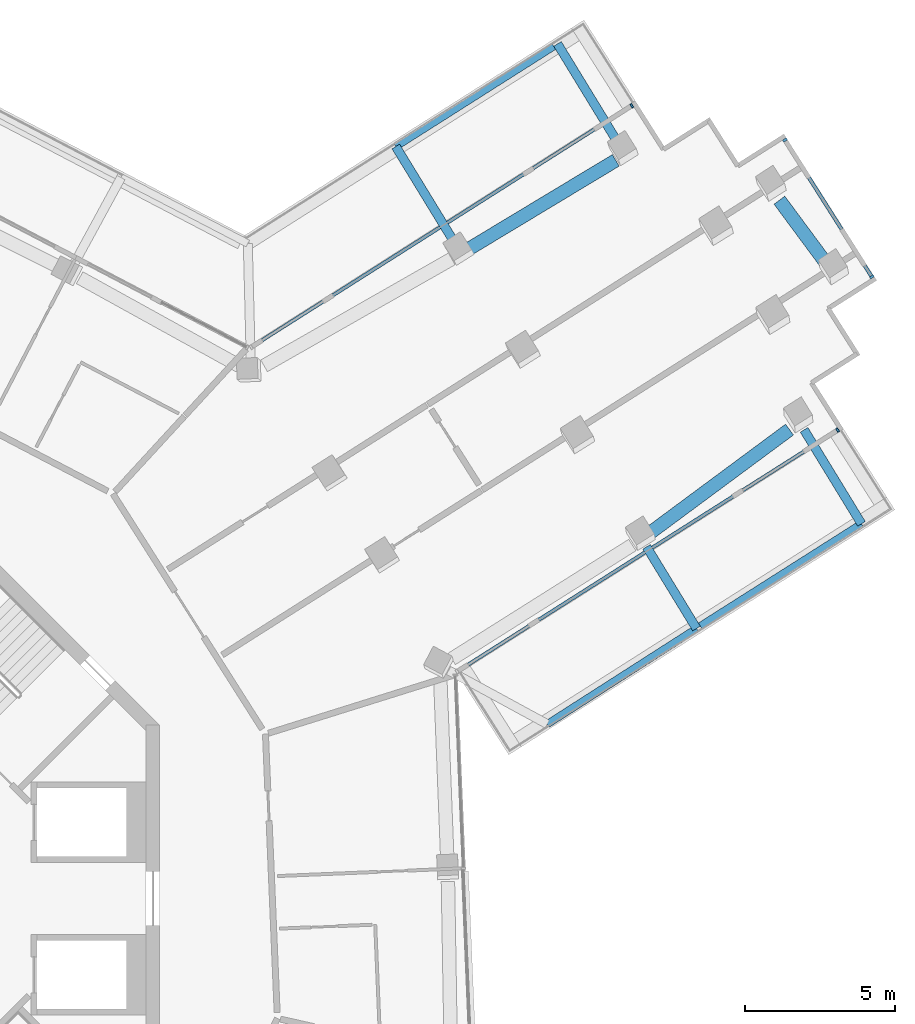
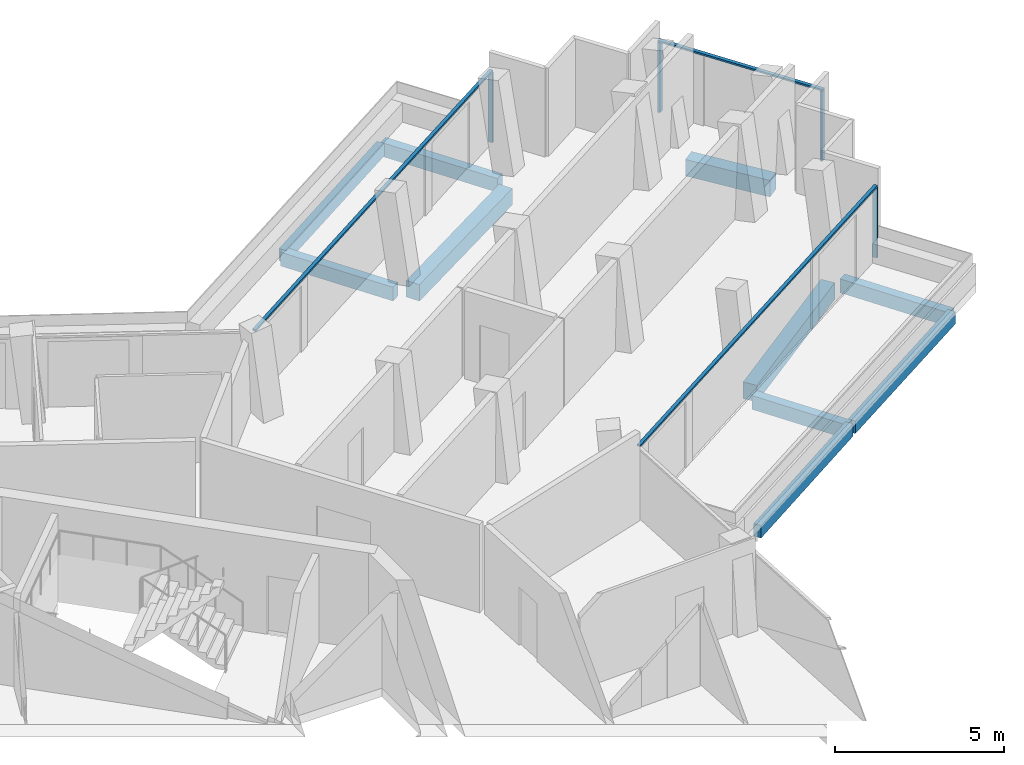
# One storey, part 9 of 23: 10 beams, 7 members, 3 elements without a shape of their own.
"""IFC4 building model written with IfcOpenShell, lengths in metres."""

from ifc_helpers import new_model, si_unit, direction, frame, origin, origin_2d, place, context, subcontext, project, spatial, rectangle, extrude, material, layer, layer_set, material_profile, profile_set, type_object, element, aggregate, save


model = new_model("IFC4")

# Units and contexts
model_context = context("Model", 3, precision=1e-05, world=origin(), true_north=direction((0.0, 1.0)))
body_context = subcontext(model_context, "Body", "Model", "MODEL_VIEW")
ifc_project = project(units=[si_unit("LENGTHUNIT", "METRE"), si_unit("AREAUNIT", "SQUARE_METRE"), si_unit("VOLUMEUNIT", "CUBIC_METRE"), si_unit("PLANEANGLEUNIT", "RADIAN"), si_unit("MASSUNIT", "GRAM", prefix="KILO")], contexts=[model_context])

# Site, building, storey
site_placement = place(None, origin())
site = spatial("IfcSite", under=ifc_project, at=site_placement, CompositionType="ELEMENT")
building_placement = place(site_placement, origin())
building = spatial("IfcBuilding", under=site, at=building_placement, Name="Verdalira Terraces Hotel", CompositionType="ELEMENT")
storey_placement = place(building_placement, frame((0.0, 0.0, 288.0)))
storey = spatial("IfcBuildingStorey", under=building, at=storey_placement, Name="L71", CompositionType="ELEMENT", Elevation=288.0)

# Beams
ifc_material_1 = material(Name="Concrete C40", Category="concrete")
ifc_material_profile_1 = material_profile(ifc_material_1, rectangle(XDim=0.300049, YDim=0.5, at=origin_2d()), Name="RC 300X500")
ifc_profile_set_1 = profile_set([ifc_material_profile_1], Name="Concrete C40")
beam_type_1 = type_object("IfcBeamType", Name="Balcony cantilever beam RC 300X500 C40", PredefinedType="BEAM", material=ifc_profile_set_1)
beam_1_placement = place(storey_placement, frame((30.288086, 11.763428, -0.560059), z_axis=(0.521650365, -0.853159362, 0.0), x_axis=(0.853159362, 0.521650365, 0.0)))
element("IfcBeam", 1, at=beam_1_placement, inside=storey, type_object=beam_type_1, Name="Balcony cantilever beam R28-2", PredefinedType="BEAM", context=body_context, shape_type="SweptSolid", body=[
    extrude(rectangle(XDim=0.300049, YDim=0.5, at=origin_2d()), origin(), (0.0, 0.0, 1.0), 3.203613),
])
beam_2_placement = place(storey_placement, frame((35.555908, 15.675293, -0.560059), z_axis=(0.521573318, -0.853206466, 0.0), x_axis=(0.853206466, 0.521573318, 0.0)))
element("IfcBeam", 2, at=beam_2_placement, inside=storey, type_object=beam_type_1, Name="Balcony cantilever beam R28-3", PredefinedType="BEAM", context=body_context, shape_type="SweptSolid", body=[
    extrude(rectangle(XDim=0.300049, YDim=0.5, at=origin_2d()), origin(), (0.0, 0.0, 1.0), 3.683838),
])
beam_3_placement = place(storey_placement, frame((29.363281, 25.223633, -0.560059), z_axis=(-0.52161805, 0.853179119, 0.0), x_axis=(-0.853179119, -0.52161805, 0.0)))
element("IfcBeam", 3, at=beam_3_placement, inside=storey, type_object=beam_type_1, Name="Balcony cantilever beam R38-4", PredefinedType="BEAM", context=body_context, shape_type="SweptSolid", body=[
    extrude(rectangle(XDim=0.300049, YDim=0.5, at=origin_2d()), origin(), (0.0, 0.0, 1.0), 3.937256),
])
beam_4_placement = place(storey_placement, frame((23.882568, 21.9104, -0.560059), z_axis=(-0.521606018, 0.853186476, 0.0), x_axis=(-0.853186476, -0.521606018, 0.0)))
element("IfcBeam", 4, at=beam_4_placement, inside=storey, type_object=beam_type_1, Name="Balcony cantilever beam R38-5", PredefinedType="BEAM", context=body_context, shape_type="SweptSolid", body=[
    extrude(rectangle(XDim=0.300049, YDim=0.5, at=origin_2d()), origin(), (0.0, 0.0, 1.0), 3.797852),
])
ifc_material_2 = material(Name="Concrete C40", Category="concrete")
ifc_material_profile_2 = material_profile(ifc_material_2, rectangle(XDim=0.25, YDim=0.449951, at=origin_2d()), Name="RC 250X450")
ifc_profile_set_2 = profile_set([ifc_material_profile_2], Name="Concrete C40")
beam_type_2 = type_object("IfcBeamType", Name="Balcony edge beam RC 250X450 C40", PredefinedType="BEAM", material=ifc_profile_set_2)
beam_5_placement = place(storey_placement, frame((26.968506, 5.833496, -0.534912), z_axis=(0.842063363, 0.539378617, 0.0), x_axis=(-0.539378617, 0.842063363, 0.0)))
element("IfcBeam", 5, at=beam_5_placement, inside=storey, type_object=beam_type_2, Name="Balcony edge beam R28-1", PredefinedType="BEAM", context=body_context, shape_type="SweptSolid", body=[
    extrude(rectangle(XDim=0.25, YDim=0.449951, at=origin_2d()), origin(), (0.0, 0.0, 1.0), 5.926758),
])
beam_6_placement = place(storey_placement, frame((32.085693, 9.110596, -0.534912), z_axis=(0.844326759, 0.535828633, 0.0), x_axis=(-0.535828633, 0.844326759, 0.0)))
element("IfcBeam", 6, at=beam_6_placement, inside=storey, type_object=beam_type_2, Name="Balcony edge beam R28-2", PredefinedType="BEAM", context=body_context, shape_type="SweptSolid", body=[
    extrude(rectangle(XDim=0.25, YDim=0.449951, at=origin_2d()), origin(), (0.0, 0.0, 1.0), 6.385742),
])
beam_7_placement = place(storey_placement, frame((27.182861, 28.502441, -0.534912), z_axis=(-0.844311762, -0.535852264, 0.0), x_axis=(0.535852264, -0.844311762, 0.0)))
element("IfcBeam", 7, at=beam_7_placement, inside=storey, type_object=beam_type_2, Name="Balcony edge beam R38-3", PredefinedType="BEAM", context=body_context, shape_type="SweptSolid", body=[
    extrude(rectangle(XDim=0.25, YDim=0.449951, at=origin_2d()), origin(), (0.0, 0.0, 1.0), 6.255127),
])

# Curtain wall, member
ifc_material_3 = material(Name="Clear glass", Category="glass")
ifc_layer_1 = layer(ifc_material_3, 0.14990234375)
ifc_layer_set_1 = layer_set([ifc_layer_1], Name="CW2 curtain wall")
curtain_wall_type_1 = type_object("IfcCurtainWallType", Name="CW2 curtain wall", PredefinedType="NOTDEFINED", material=ifc_layer_set_1)
curtain_wall_1_placement = place(storey_placement, origin())
curtain_wall_1 = element("IfcCurtainWall", 8, at=curtain_wall_1_placement, inside=storey, type_object=curtain_wall_type_1, Name="CW2 curtain wall L71 edge 28", PredefinedType="NOTDEFINED")
ifc_material_4 = material(Name="Terracotta frame", Category="masonry")
ifc_material_profile_3 = material_profile(ifc_material_4, rectangle(XDim=0.070068, YDim=0.149902, at=origin_2d()), Name="MU 70x150")
ifc_profile_set_3 = profile_set([ifc_material_profile_3], Name="Terracotta frame")
member_type_1 = type_object("IfcMemberType", Name="CW2 mullion 70x150", PredefinedType="MULLION", material=ifc_profile_set_3)
member_1_placement = place(storey_placement, frame((36.680176, 15.668457, 0.0), z_axis=(0.0, 0.0, 1.0), x_axis=(0.844327926, 0.535826795, 0.0)))
member_1 = element("IfcMember", 9, at=member_1_placement, type_object=member_type_1, Name="CW2 mullion", PredefinedType="MULLION", context=body_context, shape_type="SweptSolid", body=[
    extrude(rectangle(XDim=0.070068, YDim=0.149902, at=origin_2d()), origin(), (0.0, 0.0, 1.0), 2.524902),
])

curtain_wall_2_placement = place(storey_placement, origin())
curtain_wall_2 = element("IfcCurtainWall", 10, at=curtain_wall_2_placement, inside=storey, type_object=curtain_wall_type_1, Name="CW2 curtain wall L71 edge 38", PredefinedType="NOTDEFINED")
member_2_placement = place(storey_placement, frame((29.794922, 26.518066, 0.0), z_axis=(0.0, 0.0, 1.0), x_axis=(-0.844327926, -0.535826795, 0.0)))
member_2 = element("IfcMember", 11, at=member_2_placement, type_object=member_type_1, Name="CW2 mullion", PredefinedType="MULLION", context=body_context, shape_type="SweptSolid", body=[
    extrude(rectangle(XDim=0.070068, YDim=0.149902, at=origin_2d()), origin(), (0.0, 0.0, 1.0), 2.524902),
])

# Member
ifc_material_5 = material(Name="Terracotta frame", Category="masonry")
ifc_material_profile_4 = material_profile(ifc_material_5, rectangle(XDim=0.11499, YDim=0.064941, at=origin_2d()), Name="TR 65x115")
ifc_profile_set_4 = profile_set([ifc_material_profile_4], Name="Terracotta frame")
member_type_2 = type_object("IfcMemberType", Name="CW2 transom 65x115", PredefinedType="USERDEFINED", material=ifc_profile_set_4)
member_3_placement = place(storey_placement, frame((23.924561, 7.573486, 2.557617), z_axis=(0.844326054, 0.535829745, 0.0), x_axis=(-0.535829745, 0.844326054, 0.0)))
member_3 = element("IfcMember", 12, at=member_3_placement, type_object=member_type_2, Name="CW2 transom", ObjectType="TRANSOM", PredefinedType="USERDEFINED", context=body_context, shape_type="SweptSolid", body=[
    extrude(rectangle(XDim=0.11499, YDim=0.064941, at=origin_2d()), origin(), (0.0, 0.0, 1.0), 15.142334),
])

aggregate(curtain_wall_1, [member_1, member_3])

member_4_placement = place(storey_placement, frame((29.824463, 26.536865, 2.557617), z_axis=(-0.844326054, -0.535829745, 0.0), x_axis=(0.535829745, -0.844326054, 0.0)))
member_4 = element("IfcMember", 13, at=member_4_placement, type_object=member_type_2, Name="CW2 transom", ObjectType="TRANSOM", PredefinedType="USERDEFINED", context=body_context, shape_type="SweptSolid", body=[
    extrude(rectangle(XDim=0.11499, YDim=0.064941, at=origin_2d()), origin(), (0.0, 0.0, 1.0), 15.142334),
])

aggregate(curtain_wall_2, [member_2, member_4])

# Curtain wall, members
ifc_material_6 = material(Name="Clear glass", Category="glass")
ifc_layer_2 = layer(ifc_material_6, 0.14990234375)
ifc_layer_set_2 = layer_set([ifc_layer_2], Name="CW3 curtain wall")
curtain_wall_type_2 = type_object("IfcCurtainWallType", Name="CW3 curtain wall", PredefinedType="NOTDEFINED", material=ifc_layer_set_2)
curtain_wall_3_placement = place(storey_placement, origin())
curtain_wall_3 = element("IfcCurtainWall", 14, at=curtain_wall_3_placement, inside=storey, type_object=curtain_wall_type_2, Name="CW3 curtain wall L71 edge 33", PredefinedType="NOTDEFINED")
ifc_material_7 = material(Name="Terracotta frame", Category="masonry")
ifc_material_profile_5 = material_profile(ifc_material_7, rectangle(XDim=0.080078, YDim=0.149902, at=origin_2d()), Name="MU 80x150")
ifc_profile_set_5 = profile_set([ifc_material_profile_5], Name="Terracotta frame")
member_type_3 = type_object("IfcMemberType", Name="CW3 mullion 80x150", PredefinedType="MULLION", material=ifc_profile_set_5)
member_5_placement = place(storey_placement, frame((37.822021, 20.792969, 0.0), z_axis=(0.0, 0.0, 1.0), x_axis=(-0.535826795, 0.844327926, 0.0)))
member_5 = element("IfcMember", 15, at=member_5_placement, type_object=member_type_3, Name="CW3 mullion", PredefinedType="MULLION", context=body_context, shape_type="SweptSolid", body=[
    extrude(rectangle(XDim=0.080078, YDim=0.149902, at=origin_2d()), origin(), (0.0, 0.0, 1.0), 2.524902),
])
member_6_placement = place(storey_placement, frame((34.917969, 25.369141, 0.0), z_axis=(0.0, 0.0, 1.0), x_axis=(-0.535826795, 0.844327926, 0.0)))
member_6 = element("IfcMember", 16, at=member_6_placement, type_object=member_type_3, Name="CW3 mullion", PredefinedType="MULLION", context=body_context, shape_type="SweptSolid", body=[
    extrude(rectangle(XDim=0.080078, YDim=0.149902, at=origin_2d()), origin(), (0.0, 0.0, 1.0), 2.524902),
])
ifc_material_8 = material(Name="Terracotta frame", Category="masonry")
ifc_material_profile_6 = material_profile(ifc_material_8, rectangle(XDim=0.120117, YDim=0.064941, at=origin_2d()), Name="TR 65x120")
ifc_profile_set_6 = profile_set([ifc_material_profile_6], Name="Terracotta frame")
member_type_4 = type_object("IfcMemberType", Name="CW3 transom 65x120", PredefinedType="USERDEFINED", material=ifc_profile_set_6)
member_7_placement = place(storey_placement, frame((37.843506, 20.759277, 2.557617), z_axis=(-0.535823831, 0.844329806, 0.0), x_axis=(-0.844329806, -0.535823831, 0.0)))
member_7 = element("IfcMember", 17, at=member_7_placement, type_object=member_type_4, Name="CW3 transom", ObjectType="TRANSOM", PredefinedType="USERDEFINED", context=body_context, shape_type="SweptSolid", body=[
    extrude(rectangle(XDim=0.120117, YDim=0.064941, at=origin_2d()), origin(), (0.0, 0.0, 1.0), 5.5),
])
aggregate(curtain_wall_3, [member_5, member_6, member_7])

# Beams
ifc_material_9 = material(Name="Concrete C40", Category="concrete")
ifc_material_profile_7 = material_profile(ifc_material_9, rectangle(XDim=0.449951, YDim=0.600098, at=origin_2d()), Name="RC 450X600")
ifc_profile_set_7 = profile_set([ifc_material_profile_7], Name="Concrete C40")
beam_type_3 = type_object("IfcBeamType", Name="Spandrel beam RC 450X600 C40", PredefinedType="SPANDREL", material=ifc_profile_set_7)
beam_8_placement = place(storey_placement, frame((30.416992, 12.238037, -0.610107), z_axis=(0.803573628, 0.595205363, 0.0), x_axis=(-0.595205363, 0.803573628, 0.0)))
element("IfcBeam", 18, at=beam_8_placement, inside=storey, type_object=beam_type_3, Name="Spandrel beam B20", PredefinedType="SPANDREL", context=body_context, shape_type="SweptSolid", body=[
    extrude(rectangle(XDim=0.449951, YDim=0.600098, at=origin_2d()), origin(), (0.0, 0.0, 1.0), 5.789307),
])
beam_9_placement = place(storey_placement, frame((36.356201, 21.161377, -0.610107), z_axis=(-0.594923884, 0.803782043, 0.0), x_axis=(-0.803782043, -0.594923884, 0.0)))
element("IfcBeam", 19, at=beam_9_placement, inside=storey, type_object=beam_type_3, Name="Spandrel beam B21", PredefinedType="SPANDREL", context=body_context, shape_type="SweptSolid", body=[
    extrude(rectangle(XDim=0.449951, YDim=0.600098, at=origin_2d()), origin(), (0.0, 0.0, 1.0), 2.730713),
])
beam_10_placement = place(storey_placement, frame((29.257812, 24.687256, -0.610107), z_axis=(-0.856529301, -0.516098399, 0.0), x_axis=(0.516098399, -0.856529301, 0.0)))
element("IfcBeam", 20, at=beam_10_placement, inside=storey, type_object=beam_type_3, Name="Spandrel beam B22", PredefinedType="SPANDREL", context=body_context, shape_type="SweptSolid", body=[
    extrude(rectangle(XDim=0.449951, YDim=0.600098, at=origin_2d()), origin(), (0.0, 0.0, 1.0), 5.687012),
])

save(model, "model.ifc")
